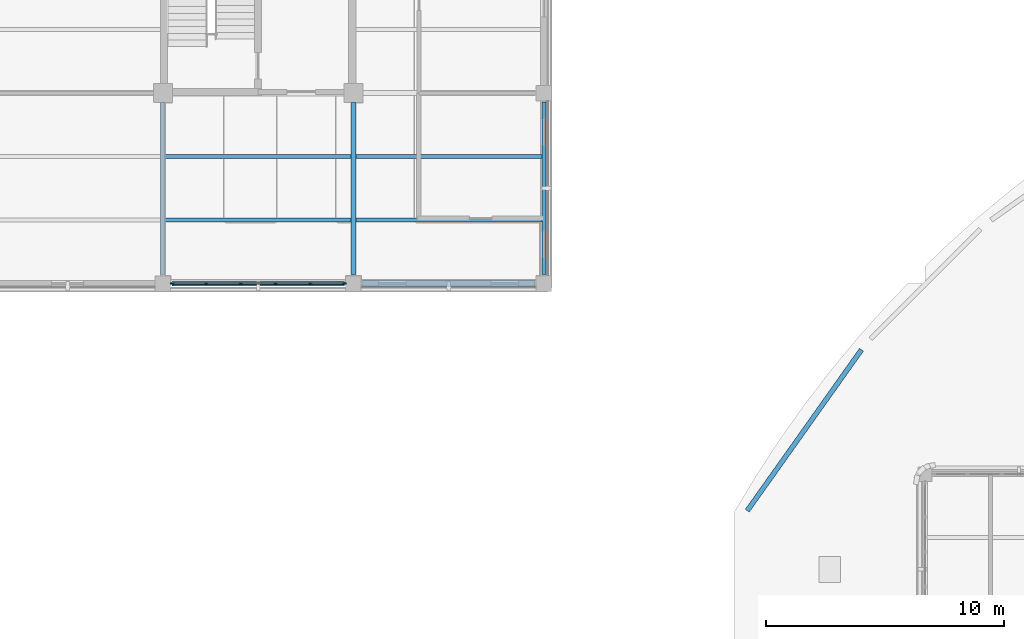
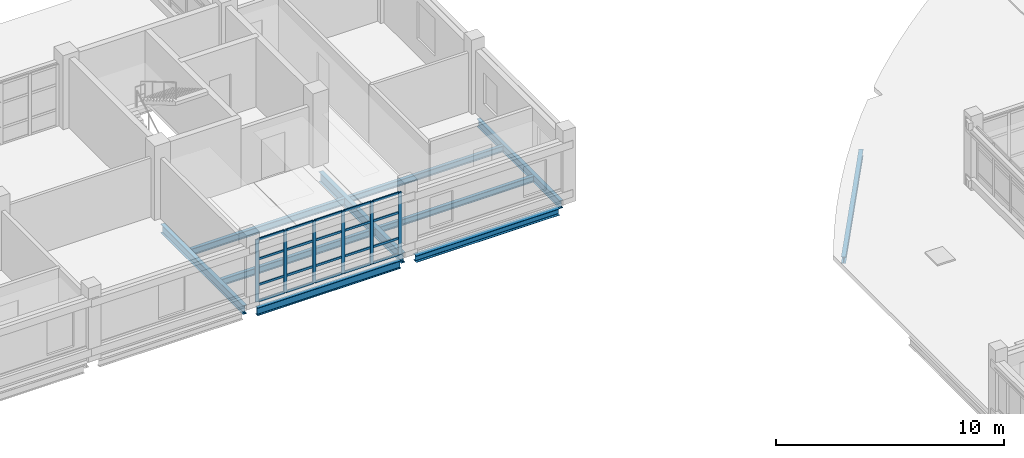
# One storey, part 34 of 126: 26 members, 10 beams, 1 element without a shape of its own.
"""IFC4 building model written with IfcOpenShell, lengths in metres."""

from ifc_helpers import new_model, si_unit, derived_unit, direction, frame, origin, origin_2d, place, context, subcontext, project, spatial, rectangle, i_section, extrude, material, layer, layer_set, material_profile, profile_set, type_object, element, aggregate, save


model = new_model("IFC4")

# Units and contexts
model_context = context("Model", 3, precision=1e-05, world=origin(), true_north=direction((0.0, 1.0)))
body_context = subcontext(model_context, "Body", "Model", "MODEL_VIEW")
ifc_project = project(units=[si_unit("LENGTHUNIT", "METRE"), si_unit("AREAUNIT", "SQUARE_METRE"), si_unit("VOLUMEUNIT", "CUBIC_METRE"), si_unit("PLANEANGLEUNIT", "RADIAN"), si_unit("MASSUNIT", "GRAM", prefix="KILO"), derived_unit("THERMALTRANSMITTANCEUNIT", [(si_unit("MASSUNIT", "GRAM", prefix="KILO"), 1), (si_unit("TIMEUNIT", "SECOND"), -3), (si_unit("THERMODYNAMICTEMPERATUREUNIT", "KELVIN"), -1)])], contexts=[model_context])

# Site, building, storey
site_placement = place(None, origin())
site = spatial("IfcSite", under=ifc_project, at=site_placement, CompositionType="ELEMENT")
building_placement = place(site_placement, origin())
building = spatial("IfcBuilding", under=site, at=building_placement, Name="Veyamyaing Civic Hall", CompositionType="ELEMENT")
storey_placement = place(building_placement, frame((0.0, 0.0, 9.89990234375)))
storey = spatial("IfcBuildingStorey", under=building, at=storey_placement, Name="L02", CompositionType="ELEMENT", Elevation=9.89990234375)

# Beams
ifc_material_1 = material(Name="Steel ASTM A992", Category="steel")
ifc_material_profile_1 = material_profile(ifc_material_1, i_section(OverallWidth=0.208984375, OverallDepth=0.532958984375, WebThickness=0.01025390625, FlangeThickness=0.015625, FilletRadius=0.011962890625, at=origin_2d()), Name="W530X92")
ifc_profile_set_1 = profile_set([ifc_material_profile_1], Name="Steel ASTM A992")
beam_type_1 = type_object("IfcBeamType", Name="B-07", PredefinedType="BEAM", material=ifc_profile_set_1)
beam_1_placement = place(storey_placement, frame((40.0, 88.375, -0.551513671875), z_axis=(0.0, 1.0, 0.0), x_axis=(-1.0, 0.0, 0.0)))
element("IfcBeam", 1, at=beam_1_placement, inside=storey, type_object=beam_type_1, Name="Girder B-07 L02 Grid 6 M-N", PredefinedType="BEAM", context=body_context, shape_type="SweptSolid", body=[
    extrude(i_section(OverallWidth=0.208984375, OverallDepth=0.532958984375, WebThickness=0.01025390625, FlangeThickness=0.015625, FilletRadius=0.011962890625, at=origin_2d()), origin(), (0.0, 0.0, 1.0), 7.22509765625),
])
ifc_material_profile_2 = material_profile(ifc_material_1, i_section(OverallWidth=0.179931640625, OverallDepth=0.4130859375, WebThickness=0.009765625, FlangeThickness=0.01611328125, FilletRadius=0.010009765625, at=origin_2d()), Name="W410X74")
ifc_profile_set_2 = profile_set([ifc_material_profile_2], Name="Steel ASTM A992")
beam_type_2 = type_object("IfcBeamType", Name="B-10", PredefinedType="SPANDREL", material=ifc_profile_set_2)
beam_2_placement = place(storey_placement, frame((48.0, 88.375, -0.491455078125), z_axis=(0.0, 1.0, 0.0), x_axis=(-1.0, 0.0, 0.0)))
element("IfcBeam", 2, at=beam_2_placement, inside=storey, type_object=beam_type_2, Name="Girder B-10 L02 Grid 7 M-N", PredefinedType="SPANDREL", context=body_context, shape_type="SweptSolid", body=[
    extrude(i_section(OverallWidth=0.179931640625, OverallDepth=0.4130859375, WebThickness=0.009765625, FlangeThickness=0.01611328125, FilletRadius=0.010009765625, at=origin_2d()), origin(), (0.0, 0.0, 1.0), 7.25),
])
ifc_material_profile_3 = material_profile(ifc_material_1, i_section(OverallWidth=0.2041015625, OverallDepth=0.35009765625, WebThickness=0.0078125, FlangeThickness=0.01513671875, FilletRadius=0.010009765625, at=origin_2d()), Name="W360X72")
ifc_profile_set_3 = profile_set([ifc_material_profile_3], Name="Steel ASTM A992")
beam_type_3 = type_object("IfcBeamType", Name="B-11", PredefinedType="SPANDREL", material=ifc_profile_set_3)
beam_3_placement = place(storey_placement, frame((61.331298828125, 85.221923828125, -0.4599609375), z_axis=(-0.578662285773, -0.815567262109, 0.0), x_axis=(0.815567262109, -0.578662285773, 0.0)))
element("IfcBeam", 3, at=beam_3_placement, inside=storey, type_object=beam_type_3, Name="Curved corner spandrel B-11 L02 NW.3", PredefinedType="SPANDREL", context=body_context, shape_type="SweptSolid", body=[
    extrude(i_section(OverallWidth=0.2041015625, OverallDepth=0.35009765625, WebThickness=0.0078125, FlangeThickness=0.01513671875, FilletRadius=0.010009765625, at=origin_2d()), origin(), (0.0, 0.0, 1.0), 8.284423828125),
])
ifc_material_profile_4 = material_profile(ifc_material_1, i_section(OverallWidth=0.194091796875, OverallDepth=0.468994140625, WebThickness=0.0126953125, FlangeThickness=0.0205078125, FilletRadius=0.010009765625, at=origin_2d()), Name="W460X106")
ifc_profile_set_4 = profile_set([ifc_material_profile_4], Name="Steel ASTM A992")
beam_type_4 = type_object("IfcBeamType", Name="B-18", PredefinedType="BEAM", material=ifc_profile_set_4)
beam_4_placement = place(storey_placement, frame((32.0, 88.375, -0.519287109375), z_axis=(0.0, 1.0, 0.0), x_axis=(-1.0, 0.0, 0.0)))
element("IfcBeam", 4, at=beam_4_placement, inside=storey, type_object=beam_type_4, Name="Girder B-18 L02 Grid 5 M-N", PredefinedType="BEAM", context=body_context, shape_type="SweptSolid", body=[
    extrude(i_section(OverallWidth=0.194091796875, OverallDepth=0.468994140625, WebThickness=0.0126953125, FlangeThickness=0.0205078125, FilletRadius=0.010009765625, at=origin_2d()), origin(), (0.0, 0.0, 1.0), 7.22509765625),
])
ifc_material_profile_5 = material_profile(ifc_material_1, i_section(OverallWidth=0.180908203125, OverallDepth=0.4169921875, WebThickness=0.010986328125, FlangeThickness=0.018310546875, FilletRadius=0.010009765625, at=origin_2d()), Name="W410X85")
ifc_profile_set_5 = profile_set([ifc_material_profile_5], Name="Steel ASTM A992")
beam_type_5 = type_object("IfcBeamType", Name="B-19", PredefinedType="SPANDREL", material=ifc_profile_set_5)
beam_5_placement = place(storey_placement, frame((32.375, 88.0, -0.493408203125), z_axis=(1.0, 0.0, 0.0), x_axis=(0.0, 1.0, 0.0)))
element("IfcBeam", 5, at=beam_5_placement, inside=storey, type_object=beam_type_5, Name="Girder B-19 L02 Grid M 5-6", PredefinedType="SPANDREL", context=body_context, shape_type="SweptSolid", body=[
    extrude(i_section(OverallWidth=0.180908203125, OverallDepth=0.4169921875, WebThickness=0.010986328125, FlangeThickness=0.018310546875, FilletRadius=0.010009765625, at=origin_2d()), origin(), (0.0, 0.0, 1.0), 7.25),
])
ifc_material_profile_6 = material_profile(ifc_material_1, i_section(OverallWidth=0.25390625, OverallDepth=0.35302734375, WebThickness=0.009521484375, FlangeThickness=0.016357421875, FilletRadius=0.011962890625, at=origin_2d()), Name="W360X91")
ifc_profile_set_6 = profile_set([ifc_material_profile_6], Name="Steel ASTM A992")
beam_type_6 = type_object("IfcBeamType", Name="B-20", PredefinedType="SPANDREL", material=ifc_profile_set_6)
beam_6_placement = place(storey_placement, frame((40.375, 88.0, -0.46142578125), z_axis=(1.0, 0.0, 0.0), x_axis=(0.0, 1.0, 0.0)))
element("IfcBeam", 6, at=beam_6_placement, inside=storey, type_object=beam_type_6, Name="Girder B-20 L02 Grid M 6-7", PredefinedType="SPANDREL", context=body_context, shape_type="SweptSolid", body=[
    extrude(i_section(OverallWidth=0.25390625, OverallDepth=0.35302734375, WebThickness=0.009521484375, FlangeThickness=0.016357421875, FilletRadius=0.011962890625, at=origin_2d()), origin(), (0.0, 0.0, 1.0), 7.25),
])

# Curtain wall, members
ifc_material_2 = material(Name="Anodised aluminium 6063-T6", Category="aluminium")
ifc_layer = layer(ifc_material_2, 0.159912109375, Name="Anodised aluminium 6063-T6")
ifc_layer_set = layer_set([ifc_layer], Name="Anodised aluminium 6063-T6")
curtain_wall_type = type_object("IfcCurtainWallType", Name="CW-03", PredefinedType="NOTDEFINED", material=ifc_layer_set)
curtain_wall_placement = place(storey_placement, origin())
curtain_wall = element("IfcCurtainWall", 7, at=curtain_wall_placement, inside=storey, type_object=curtain_wall_type, Name="Unitized curtain wall CW-03 L02 S 5.12", PredefinedType="NOTDEFINED")
ifc_material_profile_7 = material_profile(ifc_material_2, rectangle(XDim=0.06494140625, YDim=0.159912109375, at=origin_2d()), Name="ALU-MUL-65X160")
ifc_profile_set_7 = profile_set([ifc_material_profile_7], Name="Anodised aluminium 6063-T6")
member_type_1 = type_object("IfcMemberType", Name="CWM-01", PredefinedType="MULLION", material=ifc_profile_set_7)
member_1_placement = place(storey_placement, frame((32.387451171875, 88.0, 0.0), z_axis=(0.0, 0.0, 1.0), x_axis=(0.0, 1.0, 0.0)))
member_1 = element("IfcMember", 8, at=member_1_placement, type_object=member_type_1, Name="CW-03 mullion 1", PredefinedType="MULLION", context=body_context, shape_type="SweptSolid", body=[
    extrude(rectangle(XDim=0.06494140625, YDim=0.159912109375, at=origin_2d()), origin(), (0.0, 0.0, 1.0), 3.343994140625),
])
member_2_placement = place(storey_placement, frame((33.81298828125, 88.0, 0.0), z_axis=(0.0, 0.0, 1.0), x_axis=(0.0, 1.0, 0.0)))
member_2 = element("IfcMember", 9, at=member_2_placement, type_object=member_type_1, Name="CW-03 mullion 2", PredefinedType="MULLION", context=body_context, shape_type="SweptSolid", body=[
    extrude(rectangle(XDim=0.06494140625, YDim=0.159912109375, at=origin_2d()), origin(), (0.0, 0.0, 1.0), 3.343994140625),
])
member_3_placement = place(storey_placement, frame((35.27099609375, 88.0, 0.0), z_axis=(0.0, 0.0, 1.0), x_axis=(0.0, 1.0, 0.0)))
member_3 = element("IfcMember", 10, at=member_3_placement, type_object=member_type_1, Name="CW-03 mullion 3", PredefinedType="MULLION", context=body_context, shape_type="SweptSolid", body=[
    extrude(rectangle(XDim=0.06494140625, YDim=0.159912109375, at=origin_2d()), origin(), (0.0, 0.0, 1.0), 3.343994140625),
])
member_4_placement = place(storey_placement, frame((36.72900390625, 88.0, 0.0), z_axis=(0.0, 0.0, 1.0), x_axis=(0.0, 1.0, 0.0)))
member_4 = element("IfcMember", 11, at=member_4_placement, type_object=member_type_1, Name="CW-03 mullion 4", PredefinedType="MULLION", context=body_context, shape_type="SweptSolid", body=[
    extrude(rectangle(XDim=0.06494140625, YDim=0.159912109375, at=origin_2d()), origin(), (0.0, 0.0, 1.0), 3.343994140625),
])
member_5_placement = place(storey_placement, frame((38.18701171875, 88.0, 0.0), z_axis=(0.0, 0.0, 1.0), x_axis=(0.0, 1.0, 0.0)))
member_5 = element("IfcMember", 12, at=member_5_placement, type_object=member_type_1, Name="CW-03 mullion 5", PredefinedType="MULLION", context=body_context, shape_type="SweptSolid", body=[
    extrude(rectangle(XDim=0.06494140625, YDim=0.159912109375, at=origin_2d()), origin(), (0.0, 0.0, 1.0), 3.343994140625),
])
member_6_placement = place(storey_placement, frame((39.612548828125, 88.0, 0.0), z_axis=(0.0, 0.0, 1.0), x_axis=(0.0, 1.0, 0.0)))
member_6 = element("IfcMember", 13, at=member_6_placement, type_object=member_type_1, Name="CW-03 mullion 6", PredefinedType="MULLION", context=body_context, shape_type="SweptSolid", body=[
    extrude(rectangle(XDim=0.06494140625, YDim=0.159912109375, at=origin_2d()), origin(), (0.0, 0.0, 1.0), 3.343994140625),
])
ifc_material_profile_8 = material_profile(ifc_material_2, rectangle(XDim=0.06494140625, YDim=0.1201171875, at=origin_2d()), Name="ALU-TRN-65X120")
ifc_profile_set_8 = profile_set([ifc_material_profile_8], Name="Anodised aluminium 6063-T6")
member_type_2 = type_object("IfcMemberType", Name="CWT-01", PredefinedType="USERDEFINED", material=ifc_profile_set_8)
member_7_placement = place(storey_placement, frame((32.419921875, 88.0, 0.03271484375), z_axis=(1.0, 0.0, 0.0), x_axis=(0.0, 1.0, 0.0)))
member_7 = element("IfcMember", 14, at=member_7_placement, type_object=member_type_2, Name="CW-03 transom 1.1", ObjectType="TRANSOM", PredefinedType="USERDEFINED", context=body_context, shape_type="SweptSolid", body=[
    extrude(rectangle(XDim=0.06494140625, YDim=0.1201171875, at=origin_2d()), origin(), (0.0, 0.0, 1.0), 1.360595703125),
])
member_8_placement = place(storey_placement, frame((32.419921875, 88.0, 0.900146484375), z_axis=(1.0, 0.0, 0.0), x_axis=(0.0, 1.0, 0.0)))
member_8 = element("IfcMember", 15, at=member_8_placement, type_object=member_type_2, Name="CW-03 transom 1.2", ObjectType="TRANSOM", PredefinedType="USERDEFINED", context=body_context, shape_type="SweptSolid", body=[
    extrude(rectangle(XDim=0.06494140625, YDim=0.1201171875, at=origin_2d()), origin(), (0.0, 0.0, 1.0), 1.360595703125),
])
member_9_placement = place(storey_placement, frame((32.419921875, 88.0, 2.27392578125), z_axis=(1.0, 0.0, 0.0), x_axis=(0.0, 1.0, 0.0)))
member_9 = element("IfcMember", 16, at=member_9_placement, type_object=member_type_2, Name="CW-03 transom 1.3", ObjectType="TRANSOM", PredefinedType="USERDEFINED", context=body_context, shape_type="SweptSolid", body=[
    extrude(rectangle(XDim=0.06494140625, YDim=0.1201171875, at=origin_2d()), origin(), (0.0, 0.0, 1.0), 1.360595703125),
])
member_10_placement = place(storey_placement, frame((32.419921875, 88.0, 3.3115234375), z_axis=(1.0, 0.0, 0.0), x_axis=(0.0, 1.0, 0.0)))
member_10 = element("IfcMember", 17, at=member_10_placement, type_object=member_type_2, Name="CW-03 transom 1.4", ObjectType="TRANSOM", PredefinedType="USERDEFINED", context=body_context, shape_type="SweptSolid", body=[
    extrude(rectangle(XDim=0.06494140625, YDim=0.1201171875, at=origin_2d()), origin(), (0.0, 0.0, 1.0), 1.360595703125),
])
member_11_placement = place(storey_placement, frame((33.845458984375, 88.0, 0.03271484375), z_axis=(1.0, 0.0, 0.0), x_axis=(0.0, 1.0, 0.0)))
member_11 = element("IfcMember", 18, at=member_11_placement, type_object=member_type_2, Name="CW-03 transom 2.1", ObjectType="TRANSOM", PredefinedType="USERDEFINED", context=body_context, shape_type="SweptSolid", body=[
    extrude(rectangle(XDim=0.06494140625, YDim=0.1201171875, at=origin_2d()), origin(), (0.0, 0.0, 1.0), 1.39306640625),
])
member_12_placement = place(storey_placement, frame((33.845458984375, 88.0, 0.900146484375), z_axis=(1.0, 0.0, 0.0), x_axis=(0.0, 1.0, 0.0)))
member_12 = element("IfcMember", 19, at=member_12_placement, type_object=member_type_2, Name="CW-03 transom 2.2", ObjectType="TRANSOM", PredefinedType="USERDEFINED", context=body_context, shape_type="SweptSolid", body=[
    extrude(rectangle(XDim=0.06494140625, YDim=0.1201171875, at=origin_2d()), origin(), (0.0, 0.0, 1.0), 1.39306640625),
])
member_13_placement = place(storey_placement, frame((33.845458984375, 88.0, 2.27392578125), z_axis=(1.0, 0.0, 0.0), x_axis=(0.0, 1.0, 0.0)))
member_13 = element("IfcMember", 20, at=member_13_placement, type_object=member_type_2, Name="CW-03 transom 2.3", ObjectType="TRANSOM", PredefinedType="USERDEFINED", context=body_context, shape_type="SweptSolid", body=[
    extrude(rectangle(XDim=0.06494140625, YDim=0.1201171875, at=origin_2d()), origin(), (0.0, 0.0, 1.0), 1.39306640625),
])
member_14_placement = place(storey_placement, frame((33.845458984375, 88.0, 3.3115234375), z_axis=(1.0, 0.0, 0.0), x_axis=(0.0, 1.0, 0.0)))
member_14 = element("IfcMember", 21, at=member_14_placement, type_object=member_type_2, Name="CW-03 transom 2.4", ObjectType="TRANSOM", PredefinedType="USERDEFINED", context=body_context, shape_type="SweptSolid", body=[
    extrude(rectangle(XDim=0.06494140625, YDim=0.1201171875, at=origin_2d()), origin(), (0.0, 0.0, 1.0), 1.39306640625),
])
member_15_placement = place(storey_placement, frame((35.303466796875, 88.0, 0.03271484375), z_axis=(1.0, 0.0, 0.0), x_axis=(0.0, 1.0, 0.0)))
member_15 = element("IfcMember", 22, at=member_15_placement, type_object=member_type_2, Name="CW-03 transom 3.1", ObjectType="TRANSOM", PredefinedType="USERDEFINED", context=body_context, shape_type="SweptSolid", body=[
    extrude(rectangle(XDim=0.06494140625, YDim=0.1201171875, at=origin_2d()), origin(), (0.0, 0.0, 1.0), 1.39306640625),
])
member_16_placement = place(storey_placement, frame((35.303466796875, 88.0, 0.900146484375), z_axis=(1.0, 0.0, 0.0), x_axis=(0.0, 1.0, 0.0)))
member_16 = element("IfcMember", 23, at=member_16_placement, type_object=member_type_2, Name="CW-03 transom 3.2", ObjectType="TRANSOM", PredefinedType="USERDEFINED", context=body_context, shape_type="SweptSolid", body=[
    extrude(rectangle(XDim=0.06494140625, YDim=0.1201171875, at=origin_2d()), origin(), (0.0, 0.0, 1.0), 1.39306640625),
])
member_17_placement = place(storey_placement, frame((35.303466796875, 88.0, 2.27392578125), z_axis=(1.0, 0.0, 0.0), x_axis=(0.0, 1.0, 0.0)))
member_17 = element("IfcMember", 24, at=member_17_placement, type_object=member_type_2, Name="CW-03 transom 3.3", ObjectType="TRANSOM", PredefinedType="USERDEFINED", context=body_context, shape_type="SweptSolid", body=[
    extrude(rectangle(XDim=0.06494140625, YDim=0.1201171875, at=origin_2d()), origin(), (0.0, 0.0, 1.0), 1.39306640625),
])
member_18_placement = place(storey_placement, frame((35.303466796875, 88.0, 3.3115234375), z_axis=(1.0, 0.0, 0.0), x_axis=(0.0, 1.0, 0.0)))
member_18 = element("IfcMember", 25, at=member_18_placement, type_object=member_type_2, Name="CW-03 transom 3.4", ObjectType="TRANSOM", PredefinedType="USERDEFINED", context=body_context, shape_type="SweptSolid", body=[
    extrude(rectangle(XDim=0.06494140625, YDim=0.1201171875, at=origin_2d()), origin(), (0.0, 0.0, 1.0), 1.39306640625),
])
member_19_placement = place(storey_placement, frame((36.761474609375, 88.0, 0.03271484375), z_axis=(1.0, 0.0, 0.0), x_axis=(0.0, 1.0, 0.0)))
member_19 = element("IfcMember", 26, at=member_19_placement, type_object=member_type_2, Name="CW-03 transom 4.1", ObjectType="TRANSOM", PredefinedType="USERDEFINED", context=body_context, shape_type="SweptSolid", body=[
    extrude(rectangle(XDim=0.06494140625, YDim=0.1201171875, at=origin_2d()), origin(), (0.0, 0.0, 1.0), 1.39306640625),
])
member_20_placement = place(storey_placement, frame((36.761474609375, 88.0, 0.900146484375), z_axis=(1.0, 0.0, 0.0), x_axis=(0.0, 1.0, 0.0)))
member_20 = element("IfcMember", 27, at=member_20_placement, type_object=member_type_2, Name="CW-03 transom 4.2", ObjectType="TRANSOM", PredefinedType="USERDEFINED", context=body_context, shape_type="SweptSolid", body=[
    extrude(rectangle(XDim=0.06494140625, YDim=0.1201171875, at=origin_2d()), origin(), (0.0, 0.0, 1.0), 1.39306640625),
])
member_21_placement = place(storey_placement, frame((36.761474609375, 88.0, 2.27392578125), z_axis=(1.0, 0.0, 0.0), x_axis=(0.0, 1.0, 0.0)))
member_21 = element("IfcMember", 28, at=member_21_placement, type_object=member_type_2, Name="CW-03 transom 4.3", ObjectType="TRANSOM", PredefinedType="USERDEFINED", context=body_context, shape_type="SweptSolid", body=[
    extrude(rectangle(XDim=0.06494140625, YDim=0.1201171875, at=origin_2d()), origin(), (0.0, 0.0, 1.0), 1.39306640625),
])
member_22_placement = place(storey_placement, frame((36.761474609375, 88.0, 3.3115234375), z_axis=(1.0, 0.0, 0.0), x_axis=(0.0, 1.0, 0.0)))
member_22 = element("IfcMember", 29, at=member_22_placement, type_object=member_type_2, Name="CW-03 transom 4.4", ObjectType="TRANSOM", PredefinedType="USERDEFINED", context=body_context, shape_type="SweptSolid", body=[
    extrude(rectangle(XDim=0.06494140625, YDim=0.1201171875, at=origin_2d()), origin(), (0.0, 0.0, 1.0), 1.39306640625),
])
member_23_placement = place(storey_placement, frame((38.219482421875, 88.0, 0.03271484375), z_axis=(1.0, 0.0, 0.0), x_axis=(0.0, 1.0, 0.0)))
member_23 = element("IfcMember", 30, at=member_23_placement, type_object=member_type_2, Name="CW-03 transom 5.1", ObjectType="TRANSOM", PredefinedType="USERDEFINED", context=body_context, shape_type="SweptSolid", body=[
    extrude(rectangle(XDim=0.06494140625, YDim=0.1201171875, at=origin_2d()), origin(), (0.0, 0.0, 1.0), 1.360595703125),
])
member_24_placement = place(storey_placement, frame((38.219482421875, 88.0, 0.900146484375), z_axis=(1.0, 0.0, 0.0), x_axis=(0.0, 1.0, 0.0)))
member_24 = element("IfcMember", 31, at=member_24_placement, type_object=member_type_2, Name="CW-03 transom 5.2", ObjectType="TRANSOM", PredefinedType="USERDEFINED", context=body_context, shape_type="SweptSolid", body=[
    extrude(rectangle(XDim=0.06494140625, YDim=0.1201171875, at=origin_2d()), origin(), (0.0, 0.0, 1.0), 1.360595703125),
])
member_25_placement = place(storey_placement, frame((38.219482421875, 88.0, 2.27392578125), z_axis=(1.0, 0.0, 0.0), x_axis=(0.0, 1.0, 0.0)))
member_25 = element("IfcMember", 32, at=member_25_placement, type_object=member_type_2, Name="CW-03 transom 5.3", ObjectType="TRANSOM", PredefinedType="USERDEFINED", context=body_context, shape_type="SweptSolid", body=[
    extrude(rectangle(XDim=0.06494140625, YDim=0.1201171875, at=origin_2d()), origin(), (0.0, 0.0, 1.0), 1.360595703125),
])
member_26_placement = place(storey_placement, frame((38.219482421875, 88.0, 3.3115234375), z_axis=(1.0, 0.0, 0.0), x_axis=(0.0, 1.0, 0.0)))
member_26 = element("IfcMember", 33, at=member_26_placement, type_object=member_type_2, Name="CW-03 transom 5.4", ObjectType="TRANSOM", PredefinedType="USERDEFINED", context=body_context, shape_type="SweptSolid", body=[
    extrude(rectangle(XDim=0.06494140625, YDim=0.1201171875, at=origin_2d()), origin(), (0.0, 0.0, 1.0), 1.360595703125),
])
aggregate(curtain_wall, [member_1, member_2, member_3, member_4, member_5, member_6, member_7, member_8, member_9, member_10, member_11, member_12, member_13, member_14, member_15, member_16, member_17, member_18, member_19, member_20, member_21, member_22, member_23, member_24, member_25, member_26])

# Beams
ifc_material_profile_9 = material_profile(ifc_material_1, i_section(OverallWidth=0.1708984375, OverallDepth=0.35205078125, WebThickness=0.0068359375, FlangeThickness=0.009765625, FilletRadius=0.010009765625, at=origin_2d()), Name="W360X44")
ifc_profile_set_9 = profile_set([ifc_material_profile_9], Name="Steel ASTM A992")
beam_type_7 = type_object("IfcBeamType", Name="J-03", PredefinedType="JOIST", material=ifc_profile_set_9)
for number, where, z_axis, x_axis, name in (
    (34, (32.094970703125, 90.666748046875, -0.4609375), (1.0, 0.0, 0.0), (0.0, 1.0, 0.0), "Composite floor joist J-03 L02 5.12.1"),
    (35, (32.094970703125, 93.333251953125, -0.4609375), (1.0, 0.0, 0.0), (0.0, 1.0, 0.0), "Composite floor joist J-03 L02 5.12.2"),
):
    element("IfcBeam", number, at=place(storey_placement, frame(where, z_axis=z_axis, x_axis=x_axis)), inside=storey, type_object=beam_type_7, Name=name, PredefinedType="JOIST", context=body_context, shape_type="SweptSolid", body=[
        extrude(i_section(OverallWidth=0.1708984375, OverallDepth=0.35205078125, WebThickness=0.0068359375, FlangeThickness=0.009765625, FilletRadius=0.010009765625, at=origin_2d()), origin(), (0.0, 0.0, 1.0), 7.802490234375),
    ])
ifc_material_profile_10 = material_profile(ifc_material_1, i_section(OverallWidth=0.1669921875, OverallDepth=0.318115234375, WebThickness=0.007568359375, FlangeThickness=0.01318359375, FilletRadius=0.010009765625, at=origin_2d()), Name="W310X52")
ifc_profile_set_10 = profile_set([ifc_material_profile_10], Name="Steel ASTM A992")
beam_type_8 = type_object("IfcBeamType", Name="J-04", PredefinedType="JOIST", material=ifc_profile_set_10)
for number, where, z_axis, x_axis, name in (
    (36, (40.1025390625, 90.666748046875, -0.44384765625), (1.0, 0.0, 0.0), (0.0, 1.0, 0.0), "Composite floor joist J-04 L02 6.12.1"),
    (37, (40.1025390625, 93.333251953125, -0.44384765625), (1.0, 0.0, 0.0), (0.0, 1.0, 0.0), "Composite floor joist J-04 L02 6.12.2"),
):
    element("IfcBeam", number, at=place(storey_placement, frame(where, z_axis=z_axis, x_axis=x_axis)), inside=storey, type_object=beam_type_8, Name=name, PredefinedType="JOIST", context=body_context, shape_type="SweptSolid", body=[
        extrude(i_section(OverallWidth=0.1669921875, OverallDepth=0.318115234375, WebThickness=0.007568359375, FlangeThickness=0.01318359375, FilletRadius=0.010009765625, at=origin_2d()), origin(), (0.0, 0.0, 1.0), 7.8095703125),
    ])

save(model, "model.ifc")
